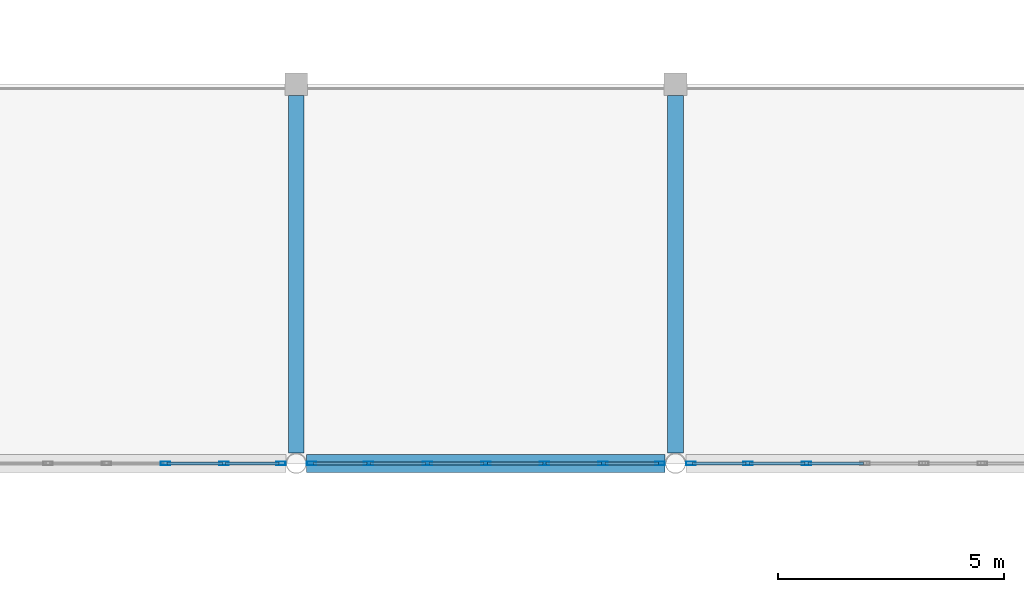
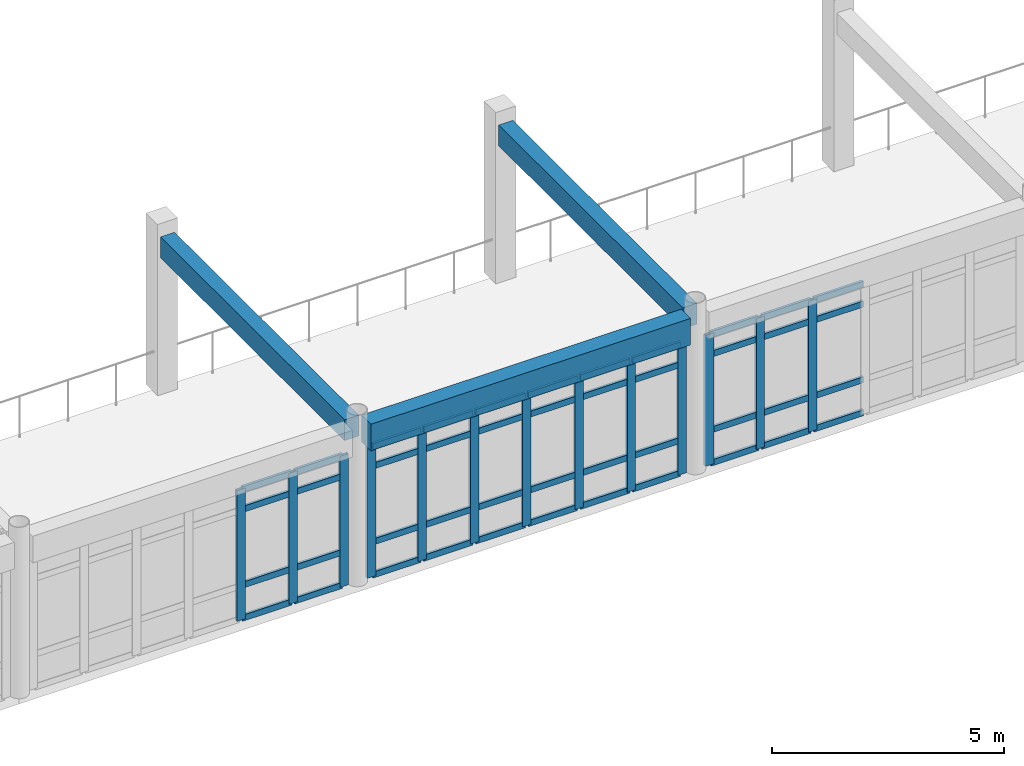
# One storey, part 22 of 144: 57 members, 3 beams, 3 elements without a shape of their own.
"""IFC4 building model written with IfcOpenShell, lengths in metres."""

from ifc_helpers import new_model, si_unit, direction, frame, origin, origin_2d, place, context, subcontext, project, spatial, rectangle, hollow_rectangle, extrude, material, layer, layer_set, material_profile, profile_set, type_object, element, aggregate, save


model = new_model("IFC4")

# Units and contexts
model_context = context("Model", 3, precision=1e-05, world=origin(), true_north=direction((0.0, 1.0)))
body_context = subcontext(model_context, "Body", "Model", "MODEL_VIEW")
ifc_project = project(units=[si_unit("LENGTHUNIT", "METRE"), si_unit("AREAUNIT", "SQUARE_METRE"), si_unit("VOLUMEUNIT", "CUBIC_METRE"), si_unit("PLANEANGLEUNIT", "RADIAN"), si_unit("MASSUNIT", "GRAM", prefix="KILO")], contexts=[model_context])

# Site, building, storey
site_placement = place(None, origin())
site = spatial("IfcSite", under=ifc_project, at=site_placement, CompositionType="ELEMENT")
building_placement = place(site_placement, origin())
building = spatial("IfcBuilding", under=site, at=building_placement, Name="Bramfleet General Hospital", CompositionType="ELEMENT")
storey_placement = place(building_placement, frame((0.0, 0.0, 4.800048828125)))
storey = spatial("IfcBuildingStorey", under=building, at=storey_placement, Name="L01", CompositionType="ELEMENT", Elevation=4.800048828125)

# Beams
ifc_material_1 = material(Name="Concrete C35/45", Category="concrete")
ifc_material_profile_1 = material_profile(ifc_material_1, rectangle(XDim=0.35009765625, YDim=0.550048828125, at=origin_2d()), Name="RC BM 550x350")
ifc_profile_set_1 = profile_set([ifc_material_profile_1], Name="Concrete C35/45")
beam_type_1 = type_object("IfcBeamType", Name="BM-RC550", PredefinedType="BEAM", material=ifc_profile_set_1)
for number, where, z_axis, x_axis, name in (
    (1, (67.199951171875, 17.028564453125, 3.875), (0.0, 1.0, 0.0), (-1.0, 0.0, 0.0), "L01 Grid Beam Y 08-02"),
    (2, (75.60009765625, 17.028564453125, 3.875), (0.0, 1.0, 0.0), (-1.0, 0.0, 0.0), "L01 Grid Beam Y 09-02"),
):
    element("IfcBeam", number, at=place(storey_placement, frame(where, z_axis=z_axis, x_axis=x_axis)), inside=storey, type_object=beam_type_1, Name=name, PredefinedType="BEAM", context=body_context, shape_type="SweptSolid", body=[
        extrude(rectangle(XDim=0.35009765625, YDim=0.550048828125, at=origin_2d()), origin(), (0.0, 0.0, 1.0), 7.92138671875),
    ])
ifc_material_profile_2 = material_profile(ifc_material_1, rectangle(XDim=0.39990234375, YDim=0.699951171875, at=origin_2d()), Name="RC SP 700x400")
ifc_profile_set_2 = profile_set([ifc_material_profile_2], Name="Concrete C35/45")
beam_type_2 = type_object("IfcBeamType", Name="BM-SP700", PredefinedType="SPANDREL", material=ifc_profile_set_2)
beam_placement = place(storey_placement, frame((67.428466796875, 16.800048828125, 3.800048828125), z_axis=(1.0, 0.0, 0.0), x_axis=(0.0, 1.0, 0.0)))
element("IfcBeam", 3, at=beam_placement, inside=storey, type_object=beam_type_2, Name="L01 Grid Beam X 08-02", PredefinedType="SPANDREL", context=body_context, shape_type="SweptSolid", body=[
    extrude(rectangle(XDim=0.39990234375, YDim=0.699951171875, at=origin_2d()), origin(), (0.0, 0.0, 1.0), 7.943115234375),
])

# Curtain wall, members
ifc_material_2 = material(Name="Anodised aluminium and low-E triple glazing", Category="aluminium")
ifc_layer_1 = layer(ifc_material_2, 0.179931640625, Name="CWT-CW-08")
ifc_layer_set_1 = layer_set([ifc_layer_1], Name="Anodised aluminium and low-E triple glazing")
curtain_wall_type_1 = type_object("IfcCurtainWallType", Name="CWT-CW-08", PredefinedType="USERDEFINED", material=ifc_layer_set_1)
curtain_wall_1_placement = place(storey_placement, origin())
curtain_wall_1 = element("IfcCurtainWall", 4, at=curtain_wall_1_placement, inside=storey, type_object=curtain_wall_type_1, Name="L01 Curtain Wall 80", ObjectType="Unitised curtain wall", PredefinedType="USERDEFINED")
ifc_material_3 = material(Name="Anodised aluminium EN AW-6060", Category="aluminium")
ifc_material_profile_3 = material_profile(ifc_material_3, hollow_rectangle(XDim=0.074951171875, YDim=0.2099609375, WallThickness=0.00439453125, at=origin_2d()), Name="ALU 210x75x4.5")
ifc_profile_set_3 = profile_set([ifc_material_profile_3], Name="Anodised aluminium EN AW-6060")
member_type_1 = type_object("IfcMemberType", Name="CWM-ALU210", PredefinedType="MULLION", material=ifc_profile_set_3)
member_1_placement = place(storey_placement, frame((78.5009765625, 16.800048828125, 0.0), z_axis=(0.0, 0.0, 1.0), x_axis=(0.0, -1.0, 0.0)))
member_1 = element("IfcMember", 5, at=member_1_placement, type_object=member_type_1, Name="CW-08 mullion 5", PredefinedType="MULLION", context=body_context, shape_type="SweptSolid", body=[
    extrude(hollow_rectangle(XDim=0.074951171875, YDim=0.2099609375, WallThickness=0.00439453125, at=origin_2d()), origin(), (0.0, 0.0, 1.0), 3.43994140625),
])
member_2_placement = place(storey_placement, frame((77.201904296875, 16.800048828125, 0.0), z_axis=(0.0, 0.0, 1.0), x_axis=(0.0, -1.0, 0.0)))
member_2 = element("IfcMember", 6, at=member_2_placement, type_object=member_type_1, Name="CW-08 mullion 6", PredefinedType="MULLION", context=body_context, shape_type="SweptSolid", body=[
    extrude(hollow_rectangle(XDim=0.074951171875, YDim=0.2099609375, WallThickness=0.00439453125, at=origin_2d()), origin(), (0.0, 0.0, 1.0), 3.43994140625),
])
member_3_placement = place(storey_placement, frame((75.9404296875, 16.800048828125, 0.0), z_axis=(0.0, 0.0, 1.0), x_axis=(0.0, -1.0, 0.0)))
member_3 = element("IfcMember", 7, at=member_3_placement, type_object=member_type_1, Name="CW-08 mullion 7", PredefinedType="MULLION", context=body_context, shape_type="SweptSolid", body=[
    extrude(hollow_rectangle(XDim=0.074951171875, YDim=0.2099609375, WallThickness=0.00439453125, at=origin_2d()), origin(), (0.0, 0.0, 1.0), 3.43994140625),
])

ifc_layer_2 = layer(ifc_material_2, 0.179931640625, Name="CWT-CW-09")
ifc_layer_set_2 = layer_set([ifc_layer_2], Name="Anodised aluminium and low-E triple glazing")
curtain_wall_type_2 = type_object("IfcCurtainWallType", Name="CWT-CW-09", PredefinedType="USERDEFINED", material=ifc_layer_set_2)
curtain_wall_2_placement = place(storey_placement, origin())
curtain_wall_2 = element("IfcCurtainWall", 8, at=curtain_wall_2_placement, inside=storey, type_object=curtain_wall_type_2, Name="L01 Curtain Wall 81", ObjectType="Unitised curtain wall", PredefinedType="USERDEFINED")
member_4_placement = place(storey_placement, frame((75.258544921875, 16.800048828125, 0.0), z_axis=(0.0, 0.0, 1.0), x_axis=(0.0, -1.0, 0.0)))
member_4 = element("IfcMember", 9, at=member_4_placement, type_object=member_type_1, Name="CW-09 mullion 1", PredefinedType="MULLION", context=body_context, shape_type="SweptSolid", body=[
    extrude(hollow_rectangle(XDim=0.074951171875, YDim=0.2099609375, WallThickness=0.00439453125, at=origin_2d()), origin(), (0.0, 0.0, 1.0), 3.43994140625),
])
member_5_placement = place(storey_placement, frame((73.997314453125, 16.800048828125, 0.0), z_axis=(0.0, 0.0, 1.0), x_axis=(0.0, -1.0, 0.0)))
member_5 = element("IfcMember", 10, at=member_5_placement, type_object=member_type_1, Name="CW-09 mullion 2", PredefinedType="MULLION", context=body_context, shape_type="SweptSolid", body=[
    extrude(hollow_rectangle(XDim=0.074951171875, YDim=0.2099609375, WallThickness=0.00439453125, at=origin_2d()), origin(), (0.0, 0.0, 1.0), 3.43994140625),
])
member_6_placement = place(storey_placement, frame((72.69873046875, 16.800048828125, 0.0), z_axis=(0.0, 0.0, 1.0), x_axis=(0.0, -1.0, 0.0)))
member_6 = element("IfcMember", 11, at=member_6_placement, type_object=member_type_1, Name="CW-09 mullion 3", PredefinedType="MULLION", context=body_context, shape_type="SweptSolid", body=[
    extrude(hollow_rectangle(XDim=0.074951171875, YDim=0.2099609375, WallThickness=0.00439453125, at=origin_2d()), origin(), (0.0, 0.0, 1.0), 3.43994140625),
])
member_7_placement = place(storey_placement, frame((71.39990234375, 16.800048828125, 0.0), z_axis=(0.0, 0.0, 1.0), x_axis=(0.0, -1.0, 0.0)))
member_7 = element("IfcMember", 12, at=member_7_placement, type_object=member_type_1, Name="CW-09 mullion 4", PredefinedType="MULLION", context=body_context, shape_type="SweptSolid", body=[
    extrude(hollow_rectangle(XDim=0.074951171875, YDim=0.2099609375, WallThickness=0.00439453125, at=origin_2d()), origin(), (0.0, 0.0, 1.0), 3.43994140625),
])
member_8_placement = place(storey_placement, frame((70.101318359375, 16.800048828125, 0.0), z_axis=(0.0, 0.0, 1.0), x_axis=(0.0, -1.0, 0.0)))
member_8 = element("IfcMember", 13, at=member_8_placement, type_object=member_type_1, Name="CW-09 mullion 5", PredefinedType="MULLION", context=body_context, shape_type="SweptSolid", body=[
    extrude(hollow_rectangle(XDim=0.074951171875, YDim=0.2099609375, WallThickness=0.00439453125, at=origin_2d()), origin(), (0.0, 0.0, 1.0), 3.43994140625),
])
member_9_placement = place(storey_placement, frame((68.802734375, 16.800048828125, 0.0), z_axis=(0.0, 0.0, 1.0), x_axis=(0.0, -1.0, 0.0)))
member_9 = element("IfcMember", 14, at=member_9_placement, type_object=member_type_1, Name="CW-09 mullion 6", PredefinedType="MULLION", context=body_context, shape_type="SweptSolid", body=[
    extrude(hollow_rectangle(XDim=0.074951171875, YDim=0.2099609375, WallThickness=0.00439453125, at=origin_2d()), origin(), (0.0, 0.0, 1.0), 3.43994140625),
])
member_10_placement = place(storey_placement, frame((67.54150390625, 16.800048828125, 0.0), z_axis=(0.0, 0.0, 1.0), x_axis=(0.0, -1.0, 0.0)))
member_10 = element("IfcMember", 15, at=member_10_placement, type_object=member_type_1, Name="CW-09 mullion 7", PredefinedType="MULLION", context=body_context, shape_type="SweptSolid", body=[
    extrude(hollow_rectangle(XDim=0.074951171875, YDim=0.2099609375, WallThickness=0.00439453125, at=origin_2d()), origin(), (0.0, 0.0, 1.0), 3.43994140625),
])

ifc_layer_3 = layer(ifc_material_2, 0.179931640625, Name="CWT-CW-10")
ifc_layer_set_3 = layer_set([ifc_layer_3], Name="Anodised aluminium and low-E triple glazing")
curtain_wall_type_3 = type_object("IfcCurtainWallType", Name="CWT-CW-10", PredefinedType="USERDEFINED", material=ifc_layer_set_3)
curtain_wall_3_placement = place(storey_placement, origin())
curtain_wall_3 = element("IfcCurtainWall", 16, at=curtain_wall_3_placement, inside=storey, type_object=curtain_wall_type_3, Name="L01 Curtain Wall 82", ObjectType="Stick curtain wall", PredefinedType="USERDEFINED")
member_11_placement = place(storey_placement, frame((66.859619140625, 16.800048828125, 0.0), z_axis=(0.0, 0.0, 1.0), x_axis=(0.0, -1.0, 0.0)))
member_11 = element("IfcMember", 17, at=member_11_placement, type_object=member_type_1, Name="CW-10 mullion 1", PredefinedType="MULLION", context=body_context, shape_type="SweptSolid", body=[
    extrude(hollow_rectangle(XDim=0.074951171875, YDim=0.2099609375, WallThickness=0.00439453125, at=origin_2d()), origin(), (0.0, 0.0, 1.0), 3.43994140625),
])
member_12_placement = place(storey_placement, frame((65.597900390625, 16.800048828125, 0.0), z_axis=(0.0, 0.0, 1.0), x_axis=(0.0, -1.0, 0.0)))
member_12 = element("IfcMember", 18, at=member_12_placement, type_object=member_type_1, Name="CW-10 mullion 2", PredefinedType="MULLION", context=body_context, shape_type="SweptSolid", body=[
    extrude(hollow_rectangle(XDim=0.074951171875, YDim=0.2099609375, WallThickness=0.00439453125, at=origin_2d()), origin(), (0.0, 0.0, 1.0), 3.43994140625),
])
member_13_placement = place(storey_placement, frame((64.299072265625, 16.800048828125, 0.0), z_axis=(0.0, 0.0, 1.0), x_axis=(0.0, -1.0, 0.0)))
member_13 = element("IfcMember", 19, at=member_13_placement, type_object=member_type_1, Name="CW-10 mullion 3", PredefinedType="MULLION", context=body_context, shape_type="SweptSolid", body=[
    extrude(hollow_rectangle(XDim=0.074951171875, YDim=0.2099609375, WallThickness=0.00439453125, at=origin_2d()), origin(), (0.0, 0.0, 1.0), 3.43994140625),
])

# Member
ifc_material_profile_4 = material_profile(ifc_material_3, hollow_rectangle(XDim=0.06494140625, YDim=0.159912109375, WallThickness=0.00390625, at=origin_2d()), Name="ALU 160x65x4.0")
ifc_profile_set_4 = profile_set([ifc_material_profile_4], Name="Anodised aluminium EN AW-6060")
member_type_2 = type_object("IfcMemberType", Name="CWT-ALU160", PredefinedType="USERDEFINED", material=ifc_profile_set_4)
member_14_placement = place(storey_placement, frame((79.762451171875, 16.800048828125, 0.032470703125), z_axis=(-1.0, 0.0, 0.0), x_axis=(0.0, -1.0, 0.0)))
member_14 = element("IfcMember", 20, at=member_14_placement, type_object=member_type_2, Name="CW-08 transom 4.1", ObjectType="TRANSOM", PredefinedType="USERDEFINED", context=body_context, shape_type="SweptSolid", body=[
    extrude(hollow_rectangle(XDim=0.06494140625, YDim=0.159912109375, WallThickness=0.00390625, at=origin_2d()), origin(), (0.0, 0.0, 1.0), 1.223876953125),
])

member_15_placement = place(storey_placement, frame((79.762451171875, 16.800048828125, 0.89990234375), z_axis=(-1.0, 0.0, 0.0), x_axis=(0.0, -1.0, 0.0)))
member_15 = element("IfcMember", 21, at=member_15_placement, type_object=member_type_2, Name="CW-08 transom 4.2", ObjectType="TRANSOM", PredefinedType="USERDEFINED", context=body_context, shape_type="SweptSolid", body=[
    extrude(hollow_rectangle(XDim=0.06494140625, YDim=0.159912109375, WallThickness=0.00390625, at=origin_2d()), origin(), (0.0, 0.0, 1.0), 1.223876953125),
])

member_16_placement = place(storey_placement, frame((79.762451171875, 16.800048828125, 2.889892578125), z_axis=(-1.0, 0.0, 0.0), x_axis=(0.0, -1.0, 0.0)))
member_16 = element("IfcMember", 22, at=member_16_placement, type_object=member_type_2, Name="CW-08 transom 4.3", ObjectType="TRANSOM", PredefinedType="USERDEFINED", context=body_context, shape_type="SweptSolid", body=[
    extrude(hollow_rectangle(XDim=0.06494140625, YDim=0.159912109375, WallThickness=0.00390625, at=origin_2d()), origin(), (0.0, 0.0, 1.0), 1.223876953125),
])

member_17_placement = place(storey_placement, frame((79.762451171875, 16.800048828125, 3.407470703125), z_axis=(-1.0, 0.0, 0.0), x_axis=(0.0, -1.0, 0.0)))
member_17 = element("IfcMember", 23, at=member_17_placement, type_object=member_type_2, Name="CW-08 transom 4.4", ObjectType="TRANSOM", PredefinedType="USERDEFINED", context=body_context, shape_type="SweptSolid", body=[
    extrude(hollow_rectangle(XDim=0.06494140625, YDim=0.159912109375, WallThickness=0.00390625, at=origin_2d()), origin(), (0.0, 0.0, 1.0), 1.223876953125),
])

member_18_placement = place(storey_placement, frame((78.46337890625, 16.800048828125, 0.032470703125), z_axis=(-1.0, 0.0, 0.0), x_axis=(0.0, -1.0, 0.0)))
member_18 = element("IfcMember", 24, at=member_18_placement, type_object=member_type_2, Name="CW-08 transom 5.1", ObjectType="TRANSOM", PredefinedType="USERDEFINED", context=body_context, shape_type="SweptSolid", body=[
    extrude(hollow_rectangle(XDim=0.06494140625, YDim=0.159912109375, WallThickness=0.00390625, at=origin_2d()), origin(), (0.0, 0.0, 1.0), 1.223876953125),
])

member_19_placement = place(storey_placement, frame((78.46337890625, 16.800048828125, 0.89990234375), z_axis=(-1.0, 0.0, 0.0), x_axis=(0.0, -1.0, 0.0)))
member_19 = element("IfcMember", 25, at=member_19_placement, type_object=member_type_2, Name="CW-08 transom 5.2", ObjectType="TRANSOM", PredefinedType="USERDEFINED", context=body_context, shape_type="SweptSolid", body=[
    extrude(hollow_rectangle(XDim=0.06494140625, YDim=0.159912109375, WallThickness=0.00390625, at=origin_2d()), origin(), (0.0, 0.0, 1.0), 1.223876953125),
])

member_20_placement = place(storey_placement, frame((78.46337890625, 16.800048828125, 2.889892578125), z_axis=(-1.0, 0.0, 0.0), x_axis=(0.0, -1.0, 0.0)))
member_20 = element("IfcMember", 26, at=member_20_placement, type_object=member_type_2, Name="CW-08 transom 5.3", ObjectType="TRANSOM", PredefinedType="USERDEFINED", context=body_context, shape_type="SweptSolid", body=[
    extrude(hollow_rectangle(XDim=0.06494140625, YDim=0.159912109375, WallThickness=0.00390625, at=origin_2d()), origin(), (0.0, 0.0, 1.0), 1.223876953125),
])

member_21_placement = place(storey_placement, frame((78.46337890625, 16.800048828125, 3.407470703125), z_axis=(-1.0, 0.0, 0.0), x_axis=(0.0, -1.0, 0.0)))
member_21 = element("IfcMember", 27, at=member_21_placement, type_object=member_type_2, Name="CW-08 transom 5.4", ObjectType="TRANSOM", PredefinedType="USERDEFINED", context=body_context, shape_type="SweptSolid", body=[
    extrude(hollow_rectangle(XDim=0.06494140625, YDim=0.159912109375, WallThickness=0.00390625, at=origin_2d()), origin(), (0.0, 0.0, 1.0), 1.223876953125),
])

member_22_placement = place(storey_placement, frame((77.16455078125, 16.800048828125, 0.032470703125), z_axis=(-1.0, 0.0, 0.0), x_axis=(0.0, -1.0, 0.0)))
member_22 = element("IfcMember", 28, at=member_22_placement, type_object=member_type_2, Name="CW-08 transom 6.1", ObjectType="TRANSOM", PredefinedType="USERDEFINED", context=body_context, shape_type="SweptSolid", body=[
    extrude(hollow_rectangle(XDim=0.06494140625, YDim=0.159912109375, WallThickness=0.00390625, at=origin_2d()), origin(), (0.0, 0.0, 1.0), 1.1865234375),
])

member_23_placement = place(storey_placement, frame((77.16455078125, 16.800048828125, 0.89990234375), z_axis=(-1.0, 0.0, 0.0), x_axis=(0.0, -1.0, 0.0)))
member_23 = element("IfcMember", 29, at=member_23_placement, type_object=member_type_2, Name="CW-08 transom 6.2", ObjectType="TRANSOM", PredefinedType="USERDEFINED", context=body_context, shape_type="SweptSolid", body=[
    extrude(hollow_rectangle(XDim=0.06494140625, YDim=0.159912109375, WallThickness=0.00390625, at=origin_2d()), origin(), (0.0, 0.0, 1.0), 1.1865234375),
])

member_24_placement = place(storey_placement, frame((77.16455078125, 16.800048828125, 2.889892578125), z_axis=(-1.0, 0.0, 0.0), x_axis=(0.0, -1.0, 0.0)))
member_24 = element("IfcMember", 30, at=member_24_placement, type_object=member_type_2, Name="CW-08 transom 6.3", ObjectType="TRANSOM", PredefinedType="USERDEFINED", context=body_context, shape_type="SweptSolid", body=[
    extrude(hollow_rectangle(XDim=0.06494140625, YDim=0.159912109375, WallThickness=0.00390625, at=origin_2d()), origin(), (0.0, 0.0, 1.0), 1.1865234375),
])

member_25_placement = place(storey_placement, frame((77.16455078125, 16.800048828125, 3.407470703125), z_axis=(-1.0, 0.0, 0.0), x_axis=(0.0, -1.0, 0.0)))
member_25 = element("IfcMember", 31, at=member_25_placement, type_object=member_type_2, Name="CW-08 transom 6.4", ObjectType="TRANSOM", PredefinedType="USERDEFINED", context=body_context, shape_type="SweptSolid", body=[
    extrude(hollow_rectangle(XDim=0.06494140625, YDim=0.159912109375, WallThickness=0.00390625, at=origin_2d()), origin(), (0.0, 0.0, 1.0), 1.1865234375),
])

aggregate(curtain_wall_1, [member_1, member_2, member_3, member_14, member_15, member_16, member_17, member_18, member_19, member_20, member_21, member_22, member_23, member_24, member_25])

member_26_placement = place(storey_placement, frame((75.220947265625, 16.800048828125, 0.032470703125), z_axis=(-1.0, 0.0, 0.0), x_axis=(0.0, -1.0, 0.0)))
member_26 = element("IfcMember", 32, at=member_26_placement, type_object=member_type_2, Name="CW-09 transom 1.1", ObjectType="TRANSOM", PredefinedType="USERDEFINED", context=body_context, shape_type="SweptSolid", body=[
    extrude(hollow_rectangle(XDim=0.06494140625, YDim=0.159912109375, WallThickness=0.00390625, at=origin_2d()), origin(), (0.0, 0.0, 1.0), 1.18603515625),
])

member_27_placement = place(storey_placement, frame((75.220947265625, 16.800048828125, 0.89990234375), z_axis=(-1.0, 0.0, 0.0), x_axis=(0.0, -1.0, 0.0)))
member_27 = element("IfcMember", 33, at=member_27_placement, type_object=member_type_2, Name="CW-09 transom 1.2", ObjectType="TRANSOM", PredefinedType="USERDEFINED", context=body_context, shape_type="SweptSolid", body=[
    extrude(hollow_rectangle(XDim=0.06494140625, YDim=0.159912109375, WallThickness=0.00390625, at=origin_2d()), origin(), (0.0, 0.0, 1.0), 1.18603515625),
])

member_28_placement = place(storey_placement, frame((75.220947265625, 16.800048828125, 2.889892578125), z_axis=(-1.0, 0.0, 0.0), x_axis=(0.0, -1.0, 0.0)))
member_28 = element("IfcMember", 34, at=member_28_placement, type_object=member_type_2, Name="CW-09 transom 1.3", ObjectType="TRANSOM", PredefinedType="USERDEFINED", context=body_context, shape_type="SweptSolid", body=[
    extrude(hollow_rectangle(XDim=0.06494140625, YDim=0.159912109375, WallThickness=0.00390625, at=origin_2d()), origin(), (0.0, 0.0, 1.0), 1.18603515625),
])

member_29_placement = place(storey_placement, frame((75.220947265625, 16.800048828125, 3.407470703125), z_axis=(-1.0, 0.0, 0.0), x_axis=(0.0, -1.0, 0.0)))
member_29 = element("IfcMember", 35, at=member_29_placement, type_object=member_type_2, Name="CW-09 transom 1.4", ObjectType="TRANSOM", PredefinedType="USERDEFINED", context=body_context, shape_type="SweptSolid", body=[
    extrude(hollow_rectangle(XDim=0.06494140625, YDim=0.159912109375, WallThickness=0.00390625, at=origin_2d()), origin(), (0.0, 0.0, 1.0), 1.18603515625),
])

member_30_placement = place(storey_placement, frame((73.959716796875, 16.800048828125, 0.032470703125), z_axis=(-1.0, 0.0, 0.0), x_axis=(0.0, -1.0, 0.0)))
member_30 = element("IfcMember", 36, at=member_30_placement, type_object=member_type_2, Name="CW-09 transom 2.1", ObjectType="TRANSOM", PredefinedType="USERDEFINED", context=body_context, shape_type="SweptSolid", body=[
    extrude(hollow_rectangle(XDim=0.06494140625, YDim=0.159912109375, WallThickness=0.00390625, at=origin_2d()), origin(), (0.0, 0.0, 1.0), 1.2236328125),
])

member_31_placement = place(storey_placement, frame((73.959716796875, 16.800048828125, 0.89990234375), z_axis=(-1.0, 0.0, 0.0), x_axis=(0.0, -1.0, 0.0)))
member_31 = element("IfcMember", 37, at=member_31_placement, type_object=member_type_2, Name="CW-09 transom 2.2", ObjectType="TRANSOM", PredefinedType="USERDEFINED", context=body_context, shape_type="SweptSolid", body=[
    extrude(hollow_rectangle(XDim=0.06494140625, YDim=0.159912109375, WallThickness=0.00390625, at=origin_2d()), origin(), (0.0, 0.0, 1.0), 1.2236328125),
])

member_32_placement = place(storey_placement, frame((73.959716796875, 16.800048828125, 2.889892578125), z_axis=(-1.0, 0.0, 0.0), x_axis=(0.0, -1.0, 0.0)))
member_32 = element("IfcMember", 38, at=member_32_placement, type_object=member_type_2, Name="CW-09 transom 2.3", ObjectType="TRANSOM", PredefinedType="USERDEFINED", context=body_context, shape_type="SweptSolid", body=[
    extrude(hollow_rectangle(XDim=0.06494140625, YDim=0.159912109375, WallThickness=0.00390625, at=origin_2d()), origin(), (0.0, 0.0, 1.0), 1.2236328125),
])

member_33_placement = place(storey_placement, frame((73.959716796875, 16.800048828125, 3.407470703125), z_axis=(-1.0, 0.0, 0.0), x_axis=(0.0, -1.0, 0.0)))
member_33 = element("IfcMember", 39, at=member_33_placement, type_object=member_type_2, Name="CW-09 transom 2.4", ObjectType="TRANSOM", PredefinedType="USERDEFINED", context=body_context, shape_type="SweptSolid", body=[
    extrude(hollow_rectangle(XDim=0.06494140625, YDim=0.159912109375, WallThickness=0.00390625, at=origin_2d()), origin(), (0.0, 0.0, 1.0), 1.2236328125),
])

member_34_placement = place(storey_placement, frame((72.6611328125, 16.800048828125, 0.032470703125), z_axis=(-1.0, 0.0, 0.0), x_axis=(0.0, -1.0, 0.0)))
member_34 = element("IfcMember", 40, at=member_34_placement, type_object=member_type_2, Name="CW-09 transom 3.1", ObjectType="TRANSOM", PredefinedType="USERDEFINED", context=body_context, shape_type="SweptSolid", body=[
    extrude(hollow_rectangle(XDim=0.06494140625, YDim=0.159912109375, WallThickness=0.00390625, at=origin_2d()), origin(), (0.0, 0.0, 1.0), 1.2236328125),
])

member_35_placement = place(storey_placement, frame((72.6611328125, 16.800048828125, 0.89990234375), z_axis=(-1.0, 0.0, 0.0), x_axis=(0.0, -1.0, 0.0)))
member_35 = element("IfcMember", 41, at=member_35_placement, type_object=member_type_2, Name="CW-09 transom 3.2", ObjectType="TRANSOM", PredefinedType="USERDEFINED", context=body_context, shape_type="SweptSolid", body=[
    extrude(hollow_rectangle(XDim=0.06494140625, YDim=0.159912109375, WallThickness=0.00390625, at=origin_2d()), origin(), (0.0, 0.0, 1.0), 1.2236328125),
])

member_36_placement = place(storey_placement, frame((72.6611328125, 16.800048828125, 2.889892578125), z_axis=(-1.0, 0.0, 0.0), x_axis=(0.0, -1.0, 0.0)))
member_36 = element("IfcMember", 42, at=member_36_placement, type_object=member_type_2, Name="CW-09 transom 3.3", ObjectType="TRANSOM", PredefinedType="USERDEFINED", context=body_context, shape_type="SweptSolid", body=[
    extrude(hollow_rectangle(XDim=0.06494140625, YDim=0.159912109375, WallThickness=0.00390625, at=origin_2d()), origin(), (0.0, 0.0, 1.0), 1.2236328125),
])

member_37_placement = place(storey_placement, frame((72.6611328125, 16.800048828125, 3.407470703125), z_axis=(-1.0, 0.0, 0.0), x_axis=(0.0, -1.0, 0.0)))
member_37 = element("IfcMember", 43, at=member_37_placement, type_object=member_type_2, Name="CW-09 transom 3.4", ObjectType="TRANSOM", PredefinedType="USERDEFINED", context=body_context, shape_type="SweptSolid", body=[
    extrude(hollow_rectangle(XDim=0.06494140625, YDim=0.159912109375, WallThickness=0.00390625, at=origin_2d()), origin(), (0.0, 0.0, 1.0), 1.2236328125),
])

member_38_placement = place(storey_placement, frame((71.362548828125, 16.800048828125, 0.032470703125), z_axis=(-1.0, 0.0, 0.0), x_axis=(0.0, -1.0, 0.0)))
member_38 = element("IfcMember", 44, at=member_38_placement, type_object=member_type_2, Name="CW-09 transom 4.1", ObjectType="TRANSOM", PredefinedType="USERDEFINED", context=body_context, shape_type="SweptSolid", body=[
    extrude(hollow_rectangle(XDim=0.06494140625, YDim=0.159912109375, WallThickness=0.00390625, at=origin_2d()), origin(), (0.0, 0.0, 1.0), 1.2236328125),
])

member_39_placement = place(storey_placement, frame((71.362548828125, 16.800048828125, 0.89990234375), z_axis=(-1.0, 0.0, 0.0), x_axis=(0.0, -1.0, 0.0)))
member_39 = element("IfcMember", 45, at=member_39_placement, type_object=member_type_2, Name="CW-09 transom 4.2", ObjectType="TRANSOM", PredefinedType="USERDEFINED", context=body_context, shape_type="SweptSolid", body=[
    extrude(hollow_rectangle(XDim=0.06494140625, YDim=0.159912109375, WallThickness=0.00390625, at=origin_2d()), origin(), (0.0, 0.0, 1.0), 1.2236328125),
])

member_40_placement = place(storey_placement, frame((71.362548828125, 16.800048828125, 2.889892578125), z_axis=(-1.0, 0.0, 0.0), x_axis=(0.0, -1.0, 0.0)))
member_40 = element("IfcMember", 46, at=member_40_placement, type_object=member_type_2, Name="CW-09 transom 4.3", ObjectType="TRANSOM", PredefinedType="USERDEFINED", context=body_context, shape_type="SweptSolid", body=[
    extrude(hollow_rectangle(XDim=0.06494140625, YDim=0.159912109375, WallThickness=0.00390625, at=origin_2d()), origin(), (0.0, 0.0, 1.0), 1.2236328125),
])

member_41_placement = place(storey_placement, frame((71.362548828125, 16.800048828125, 3.407470703125), z_axis=(-1.0, 0.0, 0.0), x_axis=(0.0, -1.0, 0.0)))
member_41 = element("IfcMember", 47, at=member_41_placement, type_object=member_type_2, Name="CW-09 transom 4.4", ObjectType="TRANSOM", PredefinedType="USERDEFINED", context=body_context, shape_type="SweptSolid", body=[
    extrude(hollow_rectangle(XDim=0.06494140625, YDim=0.159912109375, WallThickness=0.00390625, at=origin_2d()), origin(), (0.0, 0.0, 1.0), 1.2236328125),
])

member_42_placement = place(storey_placement, frame((70.063720703125, 16.800048828125, 0.032470703125), z_axis=(-1.0, 0.0, 0.0), x_axis=(0.0, -1.0, 0.0)))
member_42 = element("IfcMember", 48, at=member_42_placement, type_object=member_type_2, Name="CW-09 transom 5.1", ObjectType="TRANSOM", PredefinedType="USERDEFINED", context=body_context, shape_type="SweptSolid", body=[
    extrude(hollow_rectangle(XDim=0.06494140625, YDim=0.159912109375, WallThickness=0.00390625, at=origin_2d()), origin(), (0.0, 0.0, 1.0), 1.2236328125),
])

member_43_placement = place(storey_placement, frame((70.063720703125, 16.800048828125, 0.89990234375), z_axis=(-1.0, 0.0, 0.0), x_axis=(0.0, -1.0, 0.0)))
member_43 = element("IfcMember", 49, at=member_43_placement, type_object=member_type_2, Name="CW-09 transom 5.2", ObjectType="TRANSOM", PredefinedType="USERDEFINED", context=body_context, shape_type="SweptSolid", body=[
    extrude(hollow_rectangle(XDim=0.06494140625, YDim=0.159912109375, WallThickness=0.00390625, at=origin_2d()), origin(), (0.0, 0.0, 1.0), 1.2236328125),
])

member_44_placement = place(storey_placement, frame((70.063720703125, 16.800048828125, 2.889892578125), z_axis=(-1.0, 0.0, 0.0), x_axis=(0.0, -1.0, 0.0)))
member_44 = element("IfcMember", 50, at=member_44_placement, type_object=member_type_2, Name="CW-09 transom 5.3", ObjectType="TRANSOM", PredefinedType="USERDEFINED", context=body_context, shape_type="SweptSolid", body=[
    extrude(hollow_rectangle(XDim=0.06494140625, YDim=0.159912109375, WallThickness=0.00390625, at=origin_2d()), origin(), (0.0, 0.0, 1.0), 1.2236328125),
])

member_45_placement = place(storey_placement, frame((70.063720703125, 16.800048828125, 3.407470703125), z_axis=(-1.0, 0.0, 0.0), x_axis=(0.0, -1.0, 0.0)))
member_45 = element("IfcMember", 51, at=member_45_placement, type_object=member_type_2, Name="CW-09 transom 5.4", ObjectType="TRANSOM", PredefinedType="USERDEFINED", context=body_context, shape_type="SweptSolid", body=[
    extrude(hollow_rectangle(XDim=0.06494140625, YDim=0.159912109375, WallThickness=0.00390625, at=origin_2d()), origin(), (0.0, 0.0, 1.0), 1.2236328125),
])

member_46_placement = place(storey_placement, frame((68.76513671875, 16.800048828125, 0.032470703125), z_axis=(-1.0, 0.0, 0.0), x_axis=(0.0, -1.0, 0.0)))
member_46 = element("IfcMember", 52, at=member_46_placement, type_object=member_type_2, Name="CW-09 transom 6.1", ObjectType="TRANSOM", PredefinedType="USERDEFINED", context=body_context, shape_type="SweptSolid", body=[
    extrude(hollow_rectangle(XDim=0.06494140625, YDim=0.159912109375, WallThickness=0.00390625, at=origin_2d()), origin(), (0.0, 0.0, 1.0), 1.18603515625),
])

member_47_placement = place(storey_placement, frame((68.76513671875, 16.800048828125, 0.89990234375), z_axis=(-1.0, 0.0, 0.0), x_axis=(0.0, -1.0, 0.0)))
member_47 = element("IfcMember", 53, at=member_47_placement, type_object=member_type_2, Name="CW-09 transom 6.2", ObjectType="TRANSOM", PredefinedType="USERDEFINED", context=body_context, shape_type="SweptSolid", body=[
    extrude(hollow_rectangle(XDim=0.06494140625, YDim=0.159912109375, WallThickness=0.00390625, at=origin_2d()), origin(), (0.0, 0.0, 1.0), 1.18603515625),
])

member_48_placement = place(storey_placement, frame((68.76513671875, 16.800048828125, 2.889892578125), z_axis=(-1.0, 0.0, 0.0), x_axis=(0.0, -1.0, 0.0)))
member_48 = element("IfcMember", 54, at=member_48_placement, type_object=member_type_2, Name="CW-09 transom 6.3", ObjectType="TRANSOM", PredefinedType="USERDEFINED", context=body_context, shape_type="SweptSolid", body=[
    extrude(hollow_rectangle(XDim=0.06494140625, YDim=0.159912109375, WallThickness=0.00390625, at=origin_2d()), origin(), (0.0, 0.0, 1.0), 1.18603515625),
])

member_49_placement = place(storey_placement, frame((68.76513671875, 16.800048828125, 3.407470703125), z_axis=(-1.0, 0.0, 0.0), x_axis=(0.0, -1.0, 0.0)))
member_49 = element("IfcMember", 55, at=member_49_placement, type_object=member_type_2, Name="CW-09 transom 6.4", ObjectType="TRANSOM", PredefinedType="USERDEFINED", context=body_context, shape_type="SweptSolid", body=[
    extrude(hollow_rectangle(XDim=0.06494140625, YDim=0.159912109375, WallThickness=0.00390625, at=origin_2d()), origin(), (0.0, 0.0, 1.0), 1.18603515625),
])

aggregate(curtain_wall_2, [member_4, member_5, member_6, member_7, member_8, member_9, member_10, member_26, member_27, member_28, member_29, member_30, member_31, member_32, member_33, member_34, member_35, member_36, member_37, member_38, member_39, member_40, member_41, member_42, member_43, member_44, member_45, member_46, member_47, member_48, member_49])

member_50_placement = place(storey_placement, frame((66.822021484375, 16.800048828125, 0.032470703125), z_axis=(-1.0, 0.0, 0.0), x_axis=(0.0, -1.0, 0.0)))
member_50 = element("IfcMember", 56, at=member_50_placement, type_object=member_type_2, Name="CW-10 transom 1.1", ObjectType="TRANSOM", PredefinedType="USERDEFINED", context=body_context, shape_type="SweptSolid", body=[
    extrude(hollow_rectangle(XDim=0.06494140625, YDim=0.159912109375, WallThickness=0.00390625, at=origin_2d()), origin(), (0.0, 0.0, 1.0), 1.1865234375),
])

member_51_placement = place(storey_placement, frame((66.822021484375, 16.800048828125, 0.89990234375), z_axis=(-1.0, 0.0, 0.0), x_axis=(0.0, -1.0, 0.0)))
member_51 = element("IfcMember", 57, at=member_51_placement, type_object=member_type_2, Name="CW-10 transom 1.2", ObjectType="TRANSOM", PredefinedType="USERDEFINED", context=body_context, shape_type="SweptSolid", body=[
    extrude(hollow_rectangle(XDim=0.06494140625, YDim=0.159912109375, WallThickness=0.00390625, at=origin_2d()), origin(), (0.0, 0.0, 1.0), 1.1865234375),
])

member_52_placement = place(storey_placement, frame((66.822021484375, 16.800048828125, 2.889892578125), z_axis=(-1.0, 0.0, 0.0), x_axis=(0.0, -1.0, 0.0)))
member_52 = element("IfcMember", 58, at=member_52_placement, type_object=member_type_2, Name="CW-10 transom 1.3", ObjectType="TRANSOM", PredefinedType="USERDEFINED", context=body_context, shape_type="SweptSolid", body=[
    extrude(hollow_rectangle(XDim=0.06494140625, YDim=0.159912109375, WallThickness=0.00390625, at=origin_2d()), origin(), (0.0, 0.0, 1.0), 1.1865234375),
])

member_53_placement = place(storey_placement, frame((66.822021484375, 16.800048828125, 3.407470703125), z_axis=(-1.0, 0.0, 0.0), x_axis=(0.0, -1.0, 0.0)))
member_53 = element("IfcMember", 59, at=member_53_placement, type_object=member_type_2, Name="CW-10 transom 1.4", ObjectType="TRANSOM", PredefinedType="USERDEFINED", context=body_context, shape_type="SweptSolid", body=[
    extrude(hollow_rectangle(XDim=0.06494140625, YDim=0.159912109375, WallThickness=0.00390625, at=origin_2d()), origin(), (0.0, 0.0, 1.0), 1.1865234375),
])

member_54_placement = place(storey_placement, frame((65.560546875, 16.800048828125, 0.032470703125), z_axis=(-1.0, 0.0, 0.0), x_axis=(0.0, -1.0, 0.0)))
member_54 = element("IfcMember", 60, at=member_54_placement, type_object=member_type_2, Name="CW-10 transom 2.1", ObjectType="TRANSOM", PredefinedType="USERDEFINED", context=body_context, shape_type="SweptSolid", body=[
    extrude(hollow_rectangle(XDim=0.06494140625, YDim=0.159912109375, WallThickness=0.00390625, at=origin_2d()), origin(), (0.0, 0.0, 1.0), 1.22412109375),
])

member_55_placement = place(storey_placement, frame((65.560546875, 16.800048828125, 0.89990234375), z_axis=(-1.0, 0.0, 0.0), x_axis=(0.0, -1.0, 0.0)))
member_55 = element("IfcMember", 61, at=member_55_placement, type_object=member_type_2, Name="CW-10 transom 2.2", ObjectType="TRANSOM", PredefinedType="USERDEFINED", context=body_context, shape_type="SweptSolid", body=[
    extrude(hollow_rectangle(XDim=0.06494140625, YDim=0.159912109375, WallThickness=0.00390625, at=origin_2d()), origin(), (0.0, 0.0, 1.0), 1.22412109375),
])

member_56_placement = place(storey_placement, frame((65.560546875, 16.800048828125, 2.889892578125), z_axis=(-1.0, 0.0, 0.0), x_axis=(0.0, -1.0, 0.0)))
member_56 = element("IfcMember", 62, at=member_56_placement, type_object=member_type_2, Name="CW-10 transom 2.3", ObjectType="TRANSOM", PredefinedType="USERDEFINED", context=body_context, shape_type="SweptSolid", body=[
    extrude(hollow_rectangle(XDim=0.06494140625, YDim=0.159912109375, WallThickness=0.00390625, at=origin_2d()), origin(), (0.0, 0.0, 1.0), 1.22412109375),
])

member_57_placement = place(storey_placement, frame((65.560546875, 16.800048828125, 3.407470703125), z_axis=(-1.0, 0.0, 0.0), x_axis=(0.0, -1.0, 0.0)))
member_57 = element("IfcMember", 63, at=member_57_placement, type_object=member_type_2, Name="CW-10 transom 2.4", ObjectType="TRANSOM", PredefinedType="USERDEFINED", context=body_context, shape_type="SweptSolid", body=[
    extrude(hollow_rectangle(XDim=0.06494140625, YDim=0.159912109375, WallThickness=0.00390625, at=origin_2d()), origin(), (0.0, 0.0, 1.0), 1.22412109375),
])

aggregate(curtain_wall_3, [member_11, member_12, member_13, member_50, member_51, member_52, member_53, member_54, member_55, member_56, member_57])

save(model, "model.ifc")
